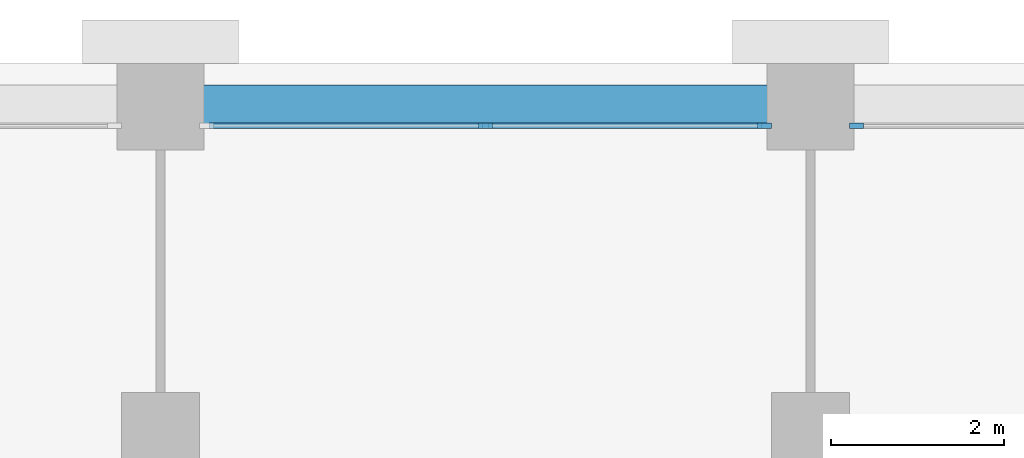
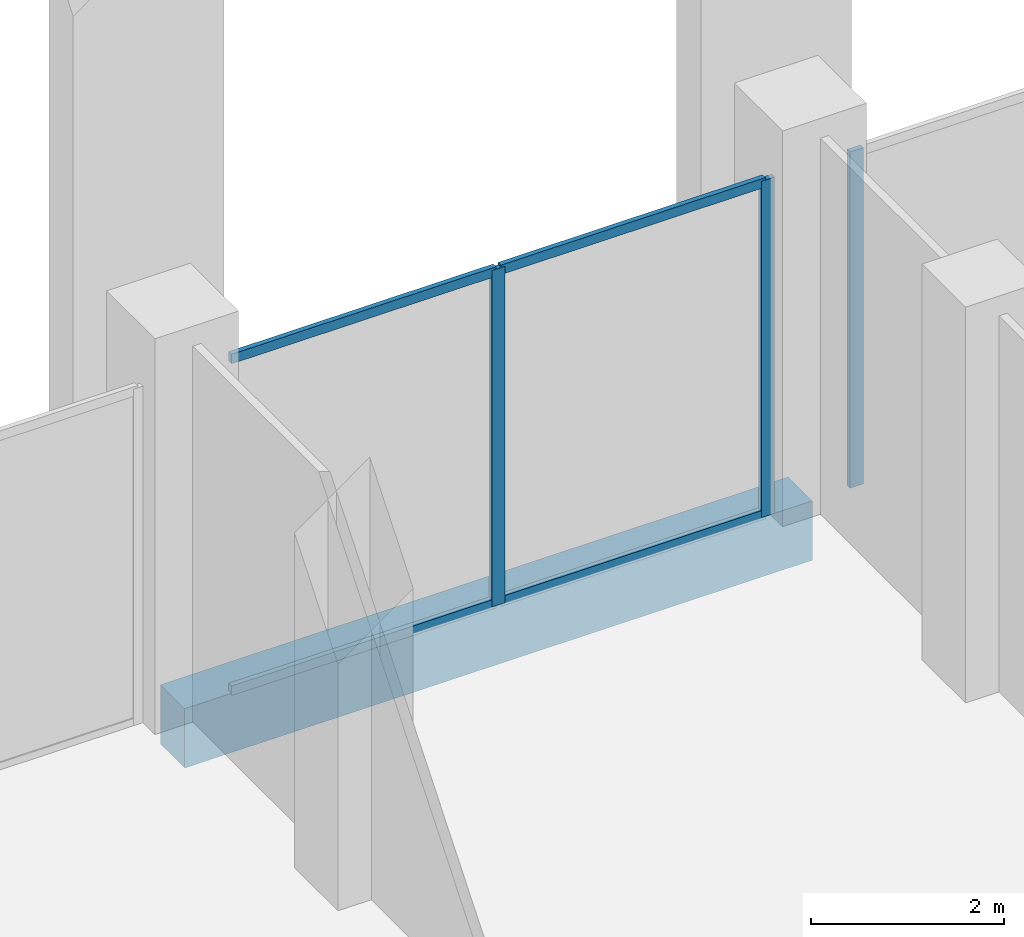
# One storey, part 6 of 19: 7 members, 1 beam, 2 elements without a shape of their own.
"""IFC4 building model written with IfcOpenShell, lengths in metres."""

from ifc_helpers import new_model, si_unit, direction, frame, origin, origin_2d, place, context, subcontext, project, spatial, rectangle, extrude, material, layer, layer_set, material_profile, profile_set, type_object, element, aggregate, save


model = new_model("IFC4")

# Units and contexts
model_context = context("Model", 3, precision=1e-05, world=origin(), true_north=direction((0.0, 1.0)))
body_context = subcontext(model_context, "Body", "Model", "MODEL_VIEW")
ifc_project = project(units=[si_unit("LENGTHUNIT", "METRE"), si_unit("AREAUNIT", "SQUARE_METRE"), si_unit("VOLUMEUNIT", "CUBIC_METRE"), si_unit("PLANEANGLEUNIT", "RADIAN"), si_unit("MASSUNIT", "GRAM", prefix="KILO")], contexts=[model_context])

# Site, building, storey
site_placement = place(None, origin())
site = spatial("IfcSite", under=ifc_project, at=site_placement, CompositionType="ELEMENT")
building_placement = place(site_placement, origin())
building = spatial("IfcBuilding", under=site, at=building_placement, Name="Tamorin Gate", CompositionType="ELEMENT")
storey_placement = place(building_placement, frame((0.0, 0.0, 174.199951171875)))
storey = spatial("IfcBuildingStorey", under=building, at=storey_placement, Name="L42", CompositionType="ELEMENT", Elevation=174.199951171875)

# Curtain wall, member
ifc_material_1 = material(Name="Aluminium mullions and transoms with clear glass", Category="aluminium")
ifc_layer = layer(ifc_material_1, 0.159912109375)
ifc_layer_set = layer_set([ifc_layer], Name="Curtain wall system CW2")
curtain_wall_type = type_object("IfcCurtainWallType", Name="Curtain wall system CW2", PredefinedType="NOTDEFINED", material=ifc_layer_set)
curtain_wall_1_placement = place(storey_placement, origin())
curtain_wall_1 = element("IfcCurtainWall", 1, at=curtain_wall_1_placement, inside=storey, type_object=curtain_wall_type, Name="Curtain wall", PredefinedType="NOTDEFINED")
ifc_material_2 = material(Name="Aluminium", Category="aluminium")
ifc_material_profile_1 = material_profile(ifc_material_2, rectangle(XDim=0.06005859375, YDim=0.159912109375, at=origin_2d()), Name="RECT 60x160")
ifc_profile_set_1 = profile_set([ifc_material_profile_1], Name="Aluminium")
member_type_1 = type_object("IfcMemberType", Name="Aluminium mullion 60x160", PredefinedType="MULLION", material=ifc_profile_set_1)
member_1_placement = place(storey_placement, frame((60.530029296875, 100.530029296875, 0.0), z_axis=(0.0, 0.0, 1.0), x_axis=(0.0, -1.0, 0.0)))
member_1 = element("IfcMember", 2, at=member_1_placement, type_object=member_type_1, Name="CW2 mullion 3", PredefinedType="MULLION", context=body_context, shape_type="SweptSolid", body=[
    extrude(rectangle(XDim=0.06005859375, YDim=0.159912109375, at=origin_2d()), origin(), (0.0, 0.0, 1.0), 4.25),
])
aggregate(curtain_wall_1, [member_1])

# Curtain wall, members
curtain_wall_2_placement = place(storey_placement, origin())
curtain_wall_2 = element("IfcCurtainWall", 3, at=curtain_wall_2_placement, inside=storey, type_object=curtain_wall_type, Name="Curtain wall", PredefinedType="NOTDEFINED")
member_2_placement = place(storey_placement, frame((59.469970703125, 100.530029296875, 0.0), z_axis=(0.0, 0.0, 1.0), x_axis=(0.0, -1.0, 0.0)))
member_2 = element("IfcMember", 4, at=member_2_placement, type_object=member_type_1, Name="CW2 mullion 1", PredefinedType="MULLION", context=body_context, shape_type="SweptSolid", body=[
    extrude(rectangle(XDim=0.06005859375, YDim=0.159912109375, at=origin_2d()), origin(), (0.0, 0.0, 1.0), 4.25),
])
member_3_placement = place(storey_placement, frame((56.25, 100.530029296875, 0.0), z_axis=(0.0, 0.0, 1.0), x_axis=(0.0, -1.0, 0.0)))
member_3 = element("IfcMember", 5, at=member_3_placement, type_object=member_type_1, Name="CW2 mullion 2", PredefinedType="MULLION", context=body_context, shape_type="SweptSolid", body=[
    extrude(rectangle(XDim=0.06005859375, YDim=0.159912109375, at=origin_2d()), origin(), (0.0, 0.0, 1.0), 4.25),
])
ifc_material_profile_2 = material_profile(ifc_material_2, rectangle(XDim=0.06005859375, YDim=0.1201171875, at=origin_2d()), Name="RECT 60x120")
ifc_profile_set_2 = profile_set([ifc_material_profile_2], Name="Aluminium")
member_type_2 = type_object("IfcMemberType", Name="Aluminium transom 60x120", PredefinedType="USERDEFINED", material=ifc_profile_set_2)
member_4_placement = place(storey_placement, frame((59.43994140625, 100.530029296875, 0.030029296875), z_axis=(-1.0, 0.0, 0.0), x_axis=(0.0, -1.0, 0.0)))
member_4 = element("IfcMember", 6, at=member_4_placement, type_object=member_type_2, Name="CW2 transom 1.1", ObjectType="TRANSOM", PredefinedType="USERDEFINED", context=body_context, shape_type="SweptSolid", body=[
    extrude(rectangle(XDim=0.06005859375, YDim=0.1201171875, at=origin_2d()), origin(), (0.0, 0.0, 1.0), 3.159912109375),
])
member_5_placement = place(storey_placement, frame((59.43994140625, 100.530029296875, 4.219970703125), z_axis=(-1.0, 0.0, 0.0), x_axis=(0.0, -1.0, 0.0)))
member_5 = element("IfcMember", 7, at=member_5_placement, type_object=member_type_2, Name="CW2 transom 1.2", ObjectType="TRANSOM", PredefinedType="USERDEFINED", context=body_context, shape_type="SweptSolid", body=[
    extrude(rectangle(XDim=0.06005859375, YDim=0.1201171875, at=origin_2d()), origin(), (0.0, 0.0, 1.0), 3.159912109375),
])
member_6_placement = place(storey_placement, frame((56.219970703125, 100.530029296875, 0.030029296875), z_axis=(-1.0, 0.0, 0.0), x_axis=(0.0, -1.0, 0.0)))
member_6 = element("IfcMember", 8, at=member_6_placement, type_object=member_type_2, Name="CW2 transom 2.1", ObjectType="TRANSOM", PredefinedType="USERDEFINED", context=body_context, shape_type="SweptSolid", body=[
    extrude(rectangle(XDim=0.06005859375, YDim=0.1201171875, at=origin_2d()), origin(), (0.0, 0.0, 1.0), 3.159912109375),
])
member_7_placement = place(storey_placement, frame((56.219970703125, 100.530029296875, 4.219970703125), z_axis=(-1.0, 0.0, 0.0), x_axis=(0.0, -1.0, 0.0)))
member_7 = element("IfcMember", 9, at=member_7_placement, type_object=member_type_2, Name="CW2 transom 2.2", ObjectType="TRANSOM", PredefinedType="USERDEFINED", context=body_context, shape_type="SweptSolid", body=[
    extrude(rectangle(XDim=0.06005859375, YDim=0.1201171875, at=origin_2d()), origin(), (0.0, 0.0, 1.0), 3.159912109375),
])
aggregate(curtain_wall_2, [member_2, member_3, member_4, member_5, member_6, member_7])

# Beam
ifc_material_3 = material(Name="Concrete C50/60", Category="concrete")
ifc_material_profile_3 = material_profile(ifc_material_3, rectangle(XDim=0.5, YDim=0.75, at=origin_2d()), Name="RC 500x750")
ifc_profile_set_3 = profile_set([ifc_material_profile_3], Name="Concrete C50/60")
beam_type = type_object("IfcBeamType", Name="RC spandrel 500x750 C50/60", PredefinedType="BEAM", material=ifc_profile_set_3)
beam_placement = place(storey_placement, frame((60.0, 100.75, -0.375), z_axis=(-1.0, 0.0, 0.0), x_axis=(0.0, -1.0, 0.0)))
element("IfcBeam", 10, at=beam_placement, inside=storey, type_object=beam_type, Name="Spandrel beam L42", PredefinedType="BEAM", context=body_context, shape_type="SweptSolid", body=[
    extrude(rectangle(XDim=0.5, YDim=0.75, at=origin_2d()), origin(), (0.0, 0.0, 1.0), 7.5),
])

save(model, "model.ifc")
